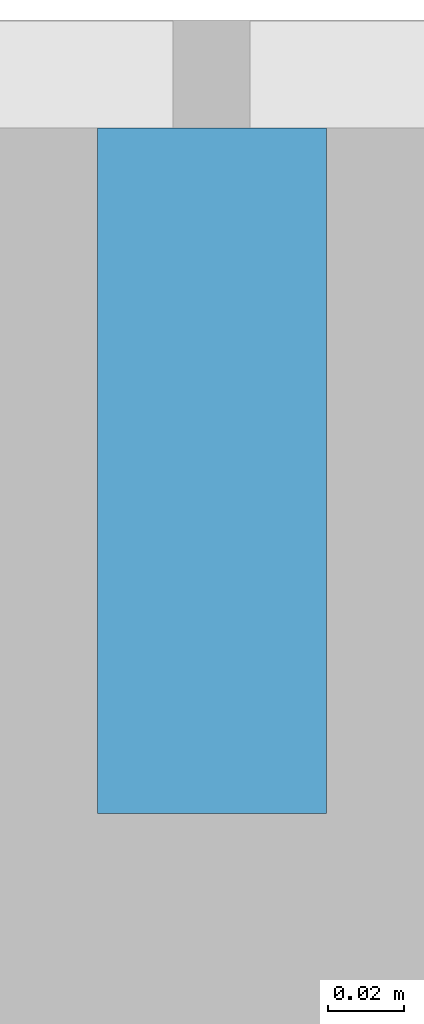
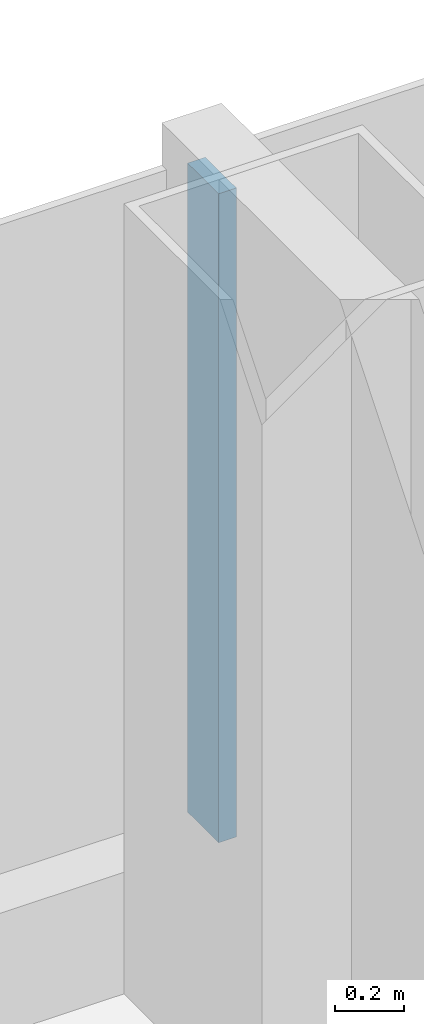
# One storey, part 8 of 29: 1 member, 1 element without a shape of its own.
"""IFC4 building model written with IfcOpenShell, lengths in metres."""

from ifc_helpers import new_model, si_unit, direction, frame, origin, origin_2d, place, context, subcontext, project, spatial, rectangle, extrude, material, layer, layer_set, material_profile, profile_set, type_object, element, aggregate, save


model = new_model("IFC4")

# Units and contexts
model_context = context("Model", 3, precision=1e-05, world=origin(), true_north=direction((0.0, 1.0)))
body_context = subcontext(model_context, "Body", "Model", "MODEL_VIEW")
ifc_project = project(units=[si_unit("LENGTHUNIT", "METRE"), si_unit("AREAUNIT", "SQUARE_METRE"), si_unit("VOLUMEUNIT", "CUBIC_METRE"), si_unit("PLANEANGLEUNIT", "RADIAN"), si_unit("MASSUNIT", "GRAM", prefix="KILO")], contexts=[model_context])

# Site, building, storey
site_placement = place(None, origin())
site = spatial("IfcSite", under=ifc_project, at=site_placement, CompositionType="ELEMENT")
building_placement = place(site_placement, origin())
building = spatial("IfcBuilding", under=site, at=building_placement, Name="Hakoniwa Tower and Hamabe Station Hall", CompositionType="ELEMENT")
storey_placement = place(building_placement, frame((0.0, 0.0, 110.60009765625)))
storey = spatial("IfcBuildingStorey", under=building, at=storey_placement, Name="L31", CompositionType="ELEMENT", Elevation=110.60009765625)

# Curtain wall, member
ifc_material_1 = material(Name="Dark low-e laminated glass", Category="glass")
ifc_layer = layer(ifc_material_1, 0.199951171875)
ifc_layer_set = layer_set([ifc_layer], Name="CW-1 UNITISED GUEST")
curtain_wall_type = type_object("IfcCurtainWallType", Name="CW-1 UNITISED GUEST", PredefinedType="NOTDEFINED", material=ifc_layer_set)
curtain_wall_placement = place(storey_placement, origin())
curtain_wall = element("IfcCurtainWall", 1, at=curtain_wall_placement, inside=storey, type_object=curtain_wall_type, Name="CW-1 curtain wall", PredefinedType="NOTDEFINED")
ifc_material_2 = material(Name="Aluminium 6063-T5 black anodised", Category="aluminium")
ifc_material_profile = material_profile(ifc_material_2, rectangle(XDim=0.06005859375, YDim=0.179931640625, at=origin_2d()), Name="CW-1 MULLION 60X180")
ifc_profile_set = profile_set([ifc_material_profile], Name="Aluminium 6063-T5 black anodised")
member_type = type_object("IfcMemberType", Name="CW-1 MULLION 60X180", PredefinedType="MULLION", material=ifc_profile_set)
member_placement = place(storey_placement, frame((-8.39990234375, 23.431884765625, 0.349853515625), z_axis=(0.0, 0.0, 1.0), x_axis=(-1.0, 0.0, 0.0)))
member = element("IfcMember", 2, at=member_placement, type_object=member_type, Name="CW-1 mullion", PredefinedType="MULLION", context=body_context, shape_type="SweptSolid", body=[
    extrude(rectangle(XDim=0.06005859375, YDim=0.179931640625, at=origin_2d()), origin(), (0.0, 0.0, 1.0), 2.300048828125),
])
aggregate(curtain_wall, [member])

save(model, "model.ifc")
